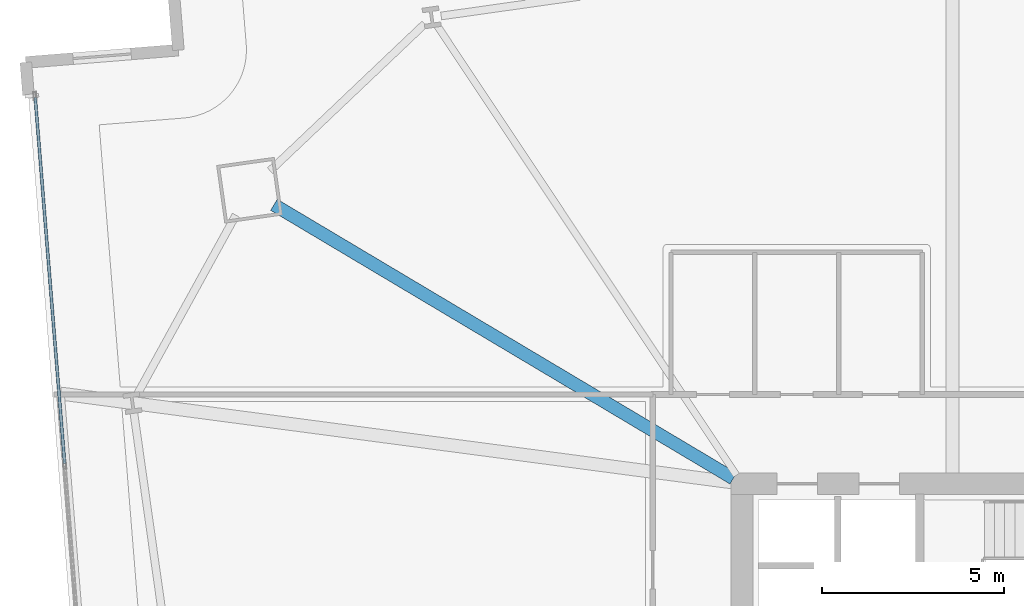
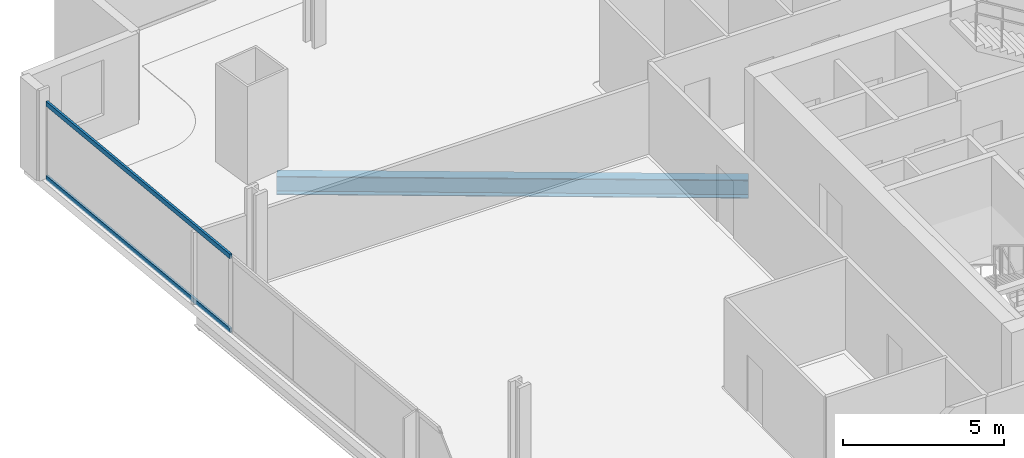
# One storey, part 15 of 33: 2 members, 1 beam, 1 element without a shape of its own.
"""IFC4 building model written with IfcOpenShell, lengths in metres."""

from ifc_helpers import new_model, si_unit, direction, frame, origin, origin_2d, place, context, subcontext, project, spatial, hollow_rectangle, i_section, extrude, material, material_profile, profile_set, type_object, element, aggregate, save


model = new_model("IFC4")

# Units and contexts
model_context = context("Model", 3, precision=1e-05, world=origin(), true_north=direction((0.0, 1.0)))
body_context = subcontext(model_context, "Body", "Model", "MODEL_VIEW")
ifc_project = project(units=[si_unit("LENGTHUNIT", "METRE"), si_unit("AREAUNIT", "SQUARE_METRE"), si_unit("VOLUMEUNIT", "CUBIC_METRE"), si_unit("PLANEANGLEUNIT", "RADIAN"), si_unit("MASSUNIT", "GRAM", prefix="KILO")], contexts=[model_context])

# Site, building, storey
site_placement = place(None, origin())
site = spatial("IfcSite", under=ifc_project, at=site_placement, CompositionType="ELEMENT")
building_placement = place(site_placement, origin())
building = spatial("IfcBuilding", under=site, at=building_placement, Name="Haldenkirk Collegiate Tower", CompositionType="ELEMENT")
storey_placement = place(building_placement, frame((0.0, 0.0, 43.949951171875)))
storey = spatial("IfcBuildingStorey", under=building, at=storey_placement, Name="L09", CompositionType="ELEMENT", Elevation=43.949951171875)

# Beam
ifc_material_1 = material(Name="Steel ASTM A992 Grade 50", Category="steel")
ifc_material_profile_1 = material_profile(ifc_material_1, i_section(OverallWidth=0.35498046875, OverallDepth=0.696044921875, WebThickness=0.015380859375, FlangeThickness=0.02490234375, at=origin_2d()), Name="W27X146")
ifc_profile_set_1 = profile_set([ifc_material_profile_1], Name="Steel ASTM A992 Grade 50")
beam_type = type_object("IfcBeamType", Name="BM-GIRDER-W27X146", PredefinedType="BEAM", material=ifc_profile_set_1)
beam_placement = place(storey_placement, frame((14.14990234375, 41.6552734375, -0.657958984375), z_axis=(0.859106056552, -0.511797600225, 0.0), x_axis=(0.511797600225, 0.859106056552, 0.0)))
element("IfcBeam", 1, at=beam_placement, inside=storey, type_object=beam_type, Name="L09 primary floor girder 04", PredefinedType="BEAM", context=body_context, shape_type="SweptSolid", body=[
    extrude(i_section(OverallWidth=0.35498046875, OverallDepth=0.696044921875, WebThickness=0.015380859375, FlangeThickness=0.02490234375, at=origin_2d()), origin(), (0.0, 0.0, 1.0), 14.677490234375),
])

# Curtain wall, members
ifc_material_2 = material(Name="Anodised architectural bronze aluminium", Category="aluminium")
curtain_wall_type = type_object("IfcCurtainWallType", Name="CW-SYS1-CONVEX-LOW", PredefinedType="USERDEFINED", material=ifc_material_2)
curtain_wall_placement = place(storey_placement, origin())
curtain_wall = element("IfcCurtainWall", 2, at=curtain_wall_placement, inside=storey, type_object=curtain_wall_type, Name="L09 Lower tower convex bronze-framed unitised curtain wall", ObjectType="UNITISED CURTAIN WALL", PredefinedType="USERDEFINED")
ifc_material_profile_2 = material_profile(ifc_material_2, hollow_rectangle(XDim=0.080078125, YDim=0.179931640625, WallThickness=0.0048828125, at=origin_2d()), Name="CW-TRN-1A")
ifc_profile_set_2 = profile_set([ifc_material_profile_2], Name="Anodised architectural bronze aluminium")
member_type = type_object("IfcMemberType", Name="CW-TRN-1A", PredefinedType="USERDEFINED", material=ifc_profile_set_2)
member_1_placement = place(storey_placement, frame((8.405029296875, 34.554443359375, 0.0400390625), z_axis=(-0.080192843794, 0.996779367666, 0.0), x_axis=(-0.996779367666, -0.080192843794, 0.0)))
member_1 = element("IfcMember", 3, at=member_1_placement, type_object=member_type, Name="CW-1A transom 4.1", ObjectType="TRANSOM", PredefinedType="USERDEFINED", context=body_context, shape_type="SweptSolid", body=[
    extrude(hollow_rectangle(XDim=0.080078125, YDim=0.179931640625, WallThickness=0.0048828125, at=origin_2d()), origin(), (0.0, 0.0, 1.0), 10.080078125),
])
member_2_placement = place(storey_placement, frame((8.405029296875, 34.554443359375, 2.85107421875), z_axis=(-0.080192843794, 0.996779367666, 0.0), x_axis=(-0.996779367666, -0.080192843794, 0.0)))
member_2 = element("IfcMember", 4, at=member_2_placement, type_object=member_type, Name="CW-1A transom 4.2", ObjectType="TRANSOM", PredefinedType="USERDEFINED", context=body_context, shape_type="SweptSolid", body=[
    extrude(hollow_rectangle(XDim=0.080078125, YDim=0.179931640625, WallThickness=0.0048828125, at=origin_2d()), origin(), (0.0, 0.0, 1.0), 10.080078125),
])
aggregate(curtain_wall, [member_1, member_2])

save(model, "model.ifc")
